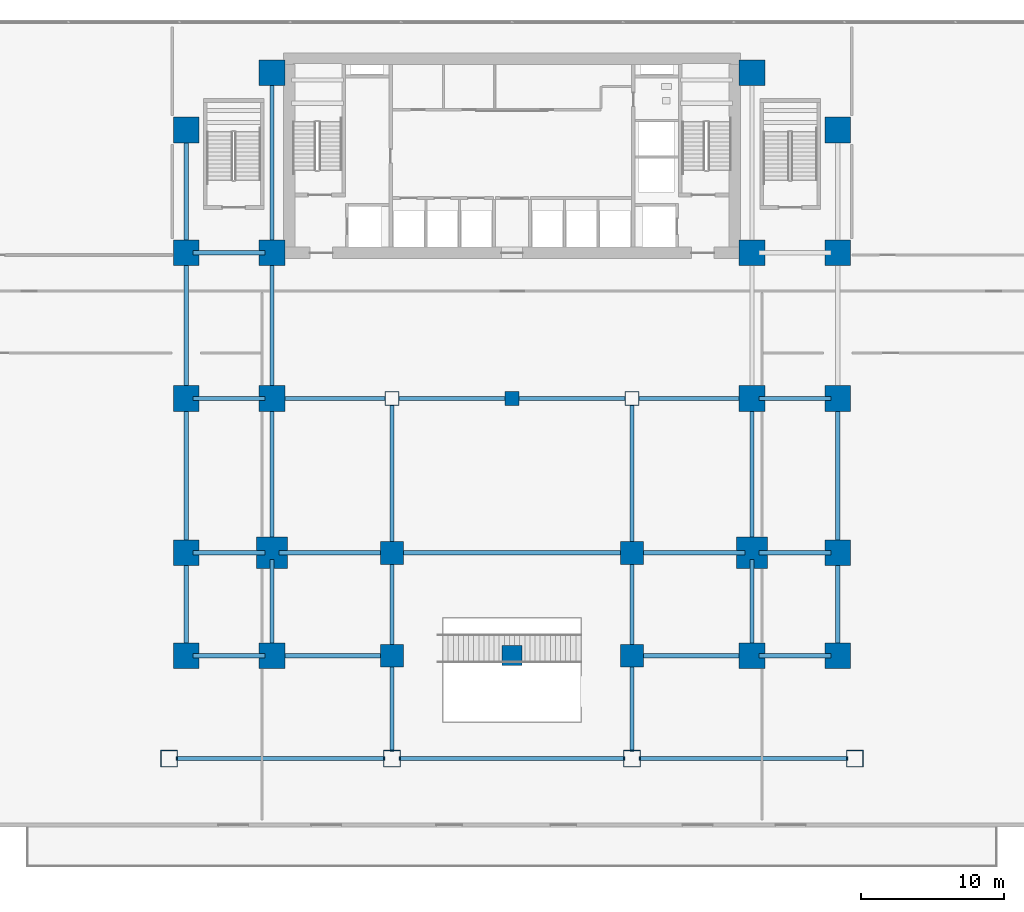
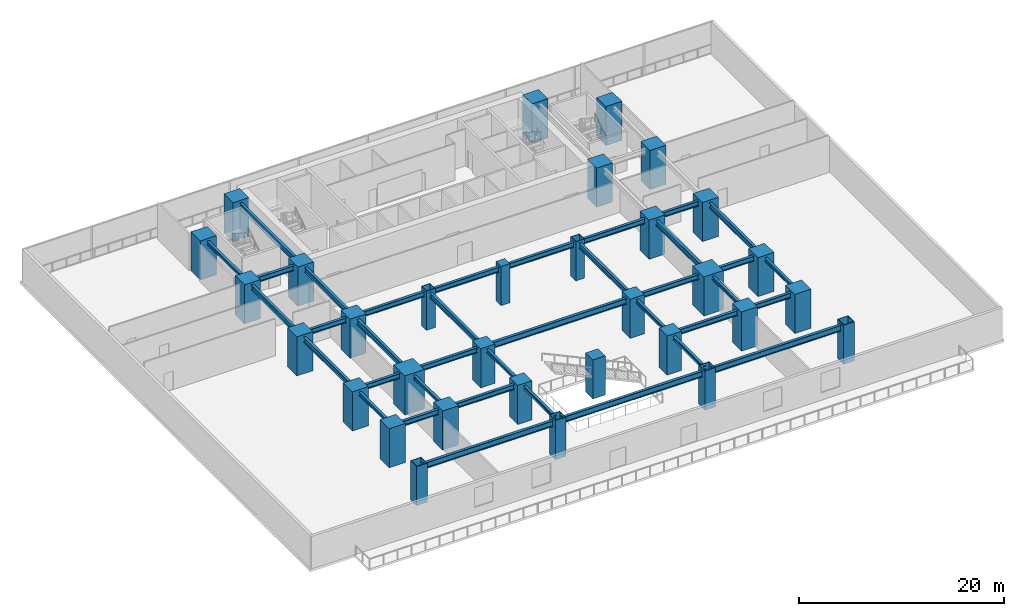
# One storey, part 1 of 17: 37 beams, 32 columns.
"""IFC4 building model written with IfcOpenShell, lengths in metres."""

from ifc_helpers import new_model, si_unit, direction, frame, origin, origin_with_axes, origin_2d, place, context, subcontext, project, spatial, rectangle, hollow_rectangle, i_section, extrude, source, transform, mapped, material, material_profile, profile_set, type_object, element, save


model = new_model("IFC4")

# Units and contexts
model_context = context("Model", 3, precision=1e-05, world=origin(), true_north=direction((0.0, 1.0)))
body_context = subcontext(model_context, "Body", "Model", "MODEL_VIEW")
ifc_project = project(units=[si_unit("LENGTHUNIT", "METRE"), si_unit("AREAUNIT", "SQUARE_METRE"), si_unit("VOLUMEUNIT", "CUBIC_METRE"), si_unit("PLANEANGLEUNIT", "RADIAN"), si_unit("MASSUNIT", "GRAM", prefix="KILO")], contexts=[model_context])

# Site, building, storey
site_placement = place(None, origin())
site = spatial("IfcSite", under=ifc_project, at=site_placement, CompositionType="ELEMENT")
building_placement = place(site_placement, origin())
building = spatial("IfcBuilding", under=site, at=building_placement, Name="Sumidabori Civic Tower", CompositionType="ELEMENT")
storey_placement = place(building_placement, frame((0.0, 0.0, 5.0)))
storey = spatial("IfcBuildingStorey", under=building, at=storey_placement, Name="L01", CompositionType="ELEMENT", Elevation=5.0)

# Columns
ifc_material_1 = material(Name="Steel SM570", Category="steel")
ifc_material_profile_1 = material_profile(ifc_material_1, hollow_rectangle(XDim=1.199951171875, YDim=1.199951171875, WallThickness=0.054931640625, at=origin_2d()), Name="SHS 1200x1200x55")
ifc_profile_set_1 = profile_set([ifc_material_profile_1], Name="Steel SM570")
column_type_1 = type_object("IfcColumnType", Name="CL-POD-SHS1200", PredefinedType="COLUMN", material=ifc_profile_set_1)
shared_shape_1 = source(origin(), body_context, "Body", "SweptSolid", [
    extrude(hollow_rectangle(XDim=1.199951171875, YDim=1.199951171875, WallThickness=0.054931640625, at=origin_2d()), origin(), (0.0, 0.0, 1.0), 4.64990234375),
])
for number, where, z_axis, x_axis, name in (
    (1, (-24.0, -25.199951171875, 0.0), (0.0, 0.0, 1.0), (1.0, 0.0, 0.0), "Column PC-S1 L01"),
    (2, (-8.39990234375, -25.199951171875, 0.0), (0.0, 0.0, 1.0), (1.0, 0.0, 0.0), "Column PC-S2 L01"),
    (3, (8.39990234375, -25.199951171875, 0.0), (0.0, 0.0, 1.0), (1.0, 0.0, 0.0), "Column PC-S3 L01"),
    (4, (24.0, -25.199951171875, 0.0), (0.0, 0.0, 1.0), (1.0, 0.0, 0.0), "Column PC-S4 L01"),
):
    element("IfcColumn", number, at=place(storey_placement, frame(where, z_axis=z_axis, x_axis=x_axis)), inside=storey, type_object=column_type_1, Name=name, PredefinedType="COLUMN", context=body_context, shape_type="MappedRepresentation", body=[
        mapped(shared_shape_1, transform((0.0, 0.0, 0.0), x_axis=(1.0, 0.0, 0.0), y_axis=(0.0, 1.0, 0.0), z_axis=(0.0, 0.0, 1.0), scale=1.0)),
    ])
ifc_material_2 = material(Name="Concrete C60/75", Category="concrete")
ifc_material_profile_2 = material_profile(ifc_material_2, rectangle(XDim=1.800048828125, YDim=1.800048828125, at=origin_2d()), Name="RC 1800x1800")
ifc_profile_set_2 = profile_set([ifc_material_profile_2], Name="Concrete C60/75")
column_type_2 = type_object("IfcColumnType", Name="CL-MEGA-1800", PredefinedType="COLUMN", material=ifc_profile_set_2)
shared_shape_2 = source(origin(), body_context, "Body", "SweptSolid", [
    extrude(rectangle(XDim=1.800048828125, YDim=1.800048828125, at=origin_2d()), origin(), (0.0, 0.0, 1.0), 4.64990234375),
])
for number, where, z_axis, x_axis, name in (
    (5, (-16.800048828125, -18.0, 0.0), (0.0, 0.0, 1.0), (1.0, 0.0, 0.0), "Column MC-W16-Y18S L01"),
    (6, (-16.800048828125, 0.0, 0.0), (0.0, 0.0, 1.0), (1.0, 0.0, 0.0), "Column MC-W16-Y00 L01"),
    (7, (-16.800048828125, 10.199951171875, 0.0), (0.0, 0.0, 1.0), (1.0, 0.0, 0.0), "Column MC-W16-Y10N L01"),
    (8, (-16.800048828125, 22.800048828125, 0.0), (0.0, 0.0, 1.0), (1.0, 0.0, 0.0), "Column MC-W16-Y23N L01"),
    (9, (16.800048828125, -18.0, 0.0), (0.0, 0.0, 1.0), (1.0, 0.0, 0.0), "Column MC-E16-Y18S L01"),
    (10, (16.800048828125, 0.0, 0.0), (0.0, 0.0, 1.0), (1.0, 0.0, 0.0), "Column MC-E16-Y00 L01"),
    (11, (16.800048828125, 10.199951171875, 0.0), (0.0, 0.0, 1.0), (1.0, 0.0, 0.0), "Column MC-E16-Y10N L01"),
    (12, (16.800048828125, 22.800048828125, 0.0), (0.0, 0.0, 1.0), (1.0, 0.0, 0.0), "Column MC-E16-Y23N L01"),
    (13, (-22.800048828125, -18.0, 0.0), (0.0, 0.0, 1.0), (1.0, 0.0, 0.0), "Column MC-W23-Y18S L01"),
    (14, (-22.800048828125, -10.800048828125, 0.0), (0.0, 0.0, 1.0), (1.0, 0.0, 0.0), "Column MC-W23-Y11S L01"),
    (15, (-22.800048828125, 0.0, 0.0), (0.0, 0.0, 1.0), (1.0, 0.0, 0.0), "Column MC-W23-Y00 L01"),
    (16, (-22.800048828125, 10.199951171875, 0.0), (0.0, 0.0, 1.0), (1.0, 0.0, 0.0), "Column MC-W23-Y10N L01"),
    (17, (-22.800048828125, 18.800048828125, 0.0), (0.0, 0.0, 1.0), (1.0, 0.0, 0.0), "Column MC-W23-Y19N L01"),
    (18, (22.800048828125, -18.0, 0.0), (0.0, 0.0, 1.0), (1.0, 0.0, 0.0), "Column MC-E23-Y18S L01"),
    (19, (22.800048828125, -10.800048828125, 0.0), (0.0, 0.0, 1.0), (1.0, 0.0, 0.0), "Column MC-E23-Y11S L01"),
    (20, (22.800048828125, 0.0, 0.0), (0.0, 0.0, 1.0), (1.0, 0.0, 0.0), "Column MC-E23-Y00 L01"),
    (21, (22.800048828125, 10.199951171875, 0.0), (0.0, 0.0, 1.0), (1.0, 0.0, 0.0), "Column MC-E23-Y10N L01"),
    (22, (22.800048828125, 18.800048828125, 0.0), (0.0, 0.0, 1.0), (1.0, 0.0, 0.0), "Column MC-E23-Y19N L01"),
):
    element("IfcColumn", number, at=place(storey_placement, frame(where, z_axis=z_axis, x_axis=x_axis)), inside=storey, type_object=column_type_2, Name=name, PredefinedType="COLUMN", context=body_context, shape_type="MappedRepresentation", body=[
        mapped(shared_shape_2, transform((0.0, 0.0, 0.0), x_axis=(1.0, 0.0, 0.0), y_axis=(0.0, 1.0, 0.0), z_axis=(0.0, 0.0, 1.0), scale=1.0)),
    ])
ifc_material_profile_3 = material_profile(ifc_material_2, rectangle(XDim=2.199951171875, YDim=2.199951171875, at=origin_2d()), Name="RC 2200x2200")
ifc_profile_set_3 = profile_set([ifc_material_profile_3], Name="Concrete C60/75")
column_type_3 = type_object("IfcColumnType", Name="CL-SUPER-2200", PredefinedType="COLUMN", material=ifc_profile_set_3)
shared_shape_3 = source(origin(), body_context, "Body", "SweptSolid", [
    extrude(rectangle(XDim=2.199951171875, YDim=2.199951171875, at=origin_2d()), origin(), (0.0, 0.0, 1.0), 4.64990234375),
])
for number, where, z_axis, x_axis, name in (
    (23, (-16.800048828125, -10.800048828125, 0.0), (0.0, 0.0, 1.0), (1.0, 0.0, 0.0), "Column MC-W16-Y11S L01"),
    (24, (16.800048828125, -10.800048828125, 0.0), (0.0, 0.0, 1.0), (1.0, 0.0, 0.0), "Column MC-E16-Y11S L01"),
):
    element("IfcColumn", number, at=place(storey_placement, frame(where, z_axis=z_axis, x_axis=x_axis)), inside=storey, type_object=column_type_3, Name=name, PredefinedType="COLUMN", context=body_context, shape_type="MappedRepresentation", body=[
        mapped(shared_shape_3, transform((0.0, 0.0, 0.0), x_axis=(1.0, 0.0, 0.0), y_axis=(0.0, 1.0, 0.0), z_axis=(0.0, 0.0, 1.0), scale=1.0)),
    ])
ifc_material_profile_4 = material_profile(ifc_material_2, rectangle(XDim=1.60009765625, YDim=1.60009765625, at=origin_2d()), Name="RC 1600x1600")
ifc_profile_set_4 = profile_set([ifc_material_profile_4], Name="Concrete C60/75")
column_type_4 = type_object("IfcColumnType", Name="CL-MEGA-1600", PredefinedType="COLUMN", material=ifc_profile_set_4)
shared_shape_4 = source(origin(), body_context, "Body", "SweptSolid", [
    extrude(rectangle(XDim=1.60009765625, YDim=1.60009765625, at=origin_2d()), origin(), (0.0, 0.0, 1.0), 4.64990234375),
])
for number, where, z_axis, x_axis, name in (
    (25, (-8.39990234375, -18.0, 0.0), (0.0, 0.0, 1.0), (1.0, 0.0, 0.0), "Column MC-W08-Y18S L01"),
    (26, (-8.39990234375, -10.800048828125, 0.0), (0.0, 0.0, 1.0), (1.0, 0.0, 0.0), "Column MC-W08-Y11S L01"),
    (27, (8.39990234375, -18.0, 0.0), (0.0, 0.0, 1.0), (1.0, 0.0, 0.0), "Column MC-E08-Y18S L01"),
    (28, (8.39990234375, -10.800048828125, 0.0), (0.0, 0.0, 1.0), (1.0, 0.0, 0.0), "Column MC-E08-Y11S L01"),
):
    element("IfcColumn", number, at=place(storey_placement, frame(where, z_axis=z_axis, x_axis=x_axis)), inside=storey, type_object=column_type_4, Name=name, PredefinedType="COLUMN", context=body_context, shape_type="MappedRepresentation", body=[
        mapped(shared_shape_4, transform((0.0, 0.0, 0.0), x_axis=(1.0, 0.0, 0.0), y_axis=(0.0, 1.0, 0.0), z_axis=(0.0, 0.0, 1.0), scale=1.0)),
    ])
ifc_material_profile_5 = material_profile(ifc_material_1, hollow_rectangle(XDim=1.0, YDim=1.0, WallThickness=0.044921875, at=origin_2d()), Name="SHS 1000x1000x45")
ifc_profile_set_5 = profile_set([ifc_material_profile_5], Name="Steel SM570")
column_type_5 = type_object("IfcColumnType", Name="CL-PORTAL-SHS1000", PredefinedType="COLUMN", material=ifc_profile_set_5)
shared_shape_5 = source(origin(), body_context, "Body", "SweptSolid", [
    extrude(hollow_rectangle(XDim=1.0, YDim=1.0, WallThickness=0.044921875, at=origin_2d()), origin(), (0.0, 0.0, 1.0), 4.64990234375),
])
for number, where, z_axis, x_axis, name in (
    (29, (-8.39990234375, 0.0, 0.0), (0.0, 0.0, 1.0), (1.0, 0.0, 0.0), "Column MC-W08-Y00 L01"),
    (30, (8.39990234375, 0.0, 0.0), (0.0, 0.0, 1.0), (1.0, 0.0, 0.0), "Column MC-E08-Y00 L01"),
):
    element("IfcColumn", number, at=place(storey_placement, frame(where, z_axis=z_axis, x_axis=x_axis)), inside=storey, type_object=column_type_5, Name=name, PredefinedType="COLUMN", context=body_context, shape_type="MappedRepresentation", body=[
        mapped(shared_shape_5, transform((0.0, 0.0, 0.0), x_axis=(1.0, 0.0, 0.0), y_axis=(0.0, 1.0, 0.0), z_axis=(0.0, 0.0, 1.0), scale=1.0)),
    ])
ifc_material_profile_6 = material_profile(ifc_material_2, rectangle(XDim=1.39990234375, YDim=1.39990234375, at=origin_2d()), Name="RC 1400x1400")
ifc_profile_set_6 = profile_set([ifc_material_profile_6], Name="Concrete C60/75")
column_type_6 = type_object("IfcColumnType", Name="CL-MEGA-1400", PredefinedType="COLUMN", material=ifc_profile_set_6)
shared_shape_6 = source(origin(), body_context, "Body", "SweptSolid", [
    extrude(rectangle(XDim=1.39990234375, YDim=1.39990234375, at=origin_2d()), origin(), (0.0, 0.0, 1.0), 4.64990234375),
])
column_1_placement = place(storey_placement, frame((0.0, -18.0, 0.0), z_axis=(0.0, 0.0, 1.0), x_axis=(1.0, 0.0, 0.0)))
element("IfcColumn", 31, at=column_1_placement, inside=storey, type_object=column_type_6, Name="Column MC-C00-Y18S L01", PredefinedType="COLUMN", context=body_context, shape_type="MappedRepresentation", body=[
    mapped(shared_shape_6, transform((0.0, 0.0, 0.0), x_axis=(1.0, 0.0, 0.0), y_axis=(0.0, 1.0, 0.0), z_axis=(0.0, 0.0, 1.0), scale=1.0)),
])
ifc_material_3 = material(Name="Concrete C50/60", Category="concrete")
ifc_material_profile_7 = material_profile(ifc_material_3, rectangle(XDim=1.0, YDim=1.0, at=origin_2d()), Name="RC 1000x1000")
ifc_profile_set_7 = profile_set([ifc_material_profile_7], Name="Concrete C50/60")
column_type_7 = type_object("IfcColumnType", Name="CL-INT-1000", PredefinedType="COLUMN", material=ifc_profile_set_7)
shared_shape_7 = source(origin(), body_context, "Body", "SweptSolid", [
    extrude(rectangle(XDim=1.0, YDim=1.0, at=origin_2d()), origin(), (0.0, 0.0, 1.0), 4.64990234375),
])
column_2_placement = place(storey_placement, origin_with_axes())
element("IfcColumn", 32, at=column_2_placement, inside=storey, type_object=column_type_7, Name="Column MC-C00-Y00 L01", PredefinedType="COLUMN", context=body_context, shape_type="MappedRepresentation", body=[
    mapped(shared_shape_7, transform((0.0, 0.0, 0.0), x_axis=(1.0, 0.0, 0.0), y_axis=(0.0, 1.0, 0.0), z_axis=(0.0, 0.0, 1.0), scale=1.0)),
])

# Beams
ifc_material_4 = material(Name="Steel SN490", Category="steel")
ifc_material_profile_8 = material_profile(ifc_material_4, i_section(OverallWidth=0.300048828125, OverallDepth=0.699951171875, WebThickness=0.01708984375, FlangeThickness=0.031982421875, at=origin_2d()), Name="HE 700 B")
ifc_profile_set_8 = profile_set([ifc_material_profile_8], Name="Steel SN490")
beam_type_1 = type_object("IfcBeamType", Name="BM-GIRD-700", PredefinedType="BEAM", material=ifc_profile_set_8)
shared_shape_8 = source(origin(), body_context, "Body", "SweptSolid", [
    extrude(i_section(OverallWidth=0.300048828125, OverallDepth=0.699951171875, WebThickness=0.01708984375, FlangeThickness=0.031982421875, at=origin_2d()), origin(), (0.0, 0.0, 1.0), 14.64013671875),
])
for number, where, z_axis, x_axis, name in (
    (33, (-23.52001953125, -25.199951171875, 4.02001953125), (1.0, 0.0, 0.0), (0.0, 1.0, 0.0), "Primary Girder L01 GX-01"),
    (34, (8.8798828125, -25.199951171875, 4.02001953125), (1.0, 0.0, 0.0), (0.0, 1.0, 0.0), "Primary Girder L01 GX-03"),
):
    element("IfcBeam", number, at=place(storey_placement, frame(where, z_axis=z_axis, x_axis=x_axis)), inside=storey, type_object=beam_type_1, Name=name, PredefinedType="BEAM", context=body_context, shape_type="MappedRepresentation", body=[
        mapped(shared_shape_8, transform((0.0, 0.0, 0.0), x_axis=(1.0, 0.0, 0.0), y_axis=(0.0, 1.0, 0.0), z_axis=(0.0, 0.0, 1.0), scale=1.0)),
    ])
shared_shape_9 = source(origin(), body_context, "Body", "SweptSolid", [
    extrude(i_section(OverallWidth=0.300048828125, OverallDepth=0.699951171875, WebThickness=0.01708984375, FlangeThickness=0.031982421875, at=origin_2d()), origin(), (0.0, 0.0, 1.0), 15.83984375),
])
for number, where, z_axis, x_axis, name in (
    (35, (-7.919921875, -25.199951171875, 4.02001953125), (1.0, 0.0, 0.0), (0.0, 1.0, 0.0), "Primary Girder L01 GX-02"),
    (36, (-7.919921875, -10.800048828125, 4.02001953125), (1.0, 0.0, 0.0), (0.0, 1.0, 0.0), "Primary Girder L01 GX-10"),
):
    element("IfcBeam", number, at=place(storey_placement, frame(where, z_axis=z_axis, x_axis=x_axis)), inside=storey, type_object=beam_type_1, Name=name, PredefinedType="BEAM", context=body_context, shape_type="MappedRepresentation", body=[
        mapped(shared_shape_9, transform((0.0, 0.0, 0.0), x_axis=(1.0, 0.0, 0.0), y_axis=(0.0, 1.0, 0.0), z_axis=(0.0, 0.0, 1.0), scale=1.0)),
    ])
ifc_material_profile_9 = material_profile(ifc_material_4, i_section(OverallWidth=0.300048828125, OverallDepth=0.60009765625, WebThickness=0.015380859375, FlangeThickness=0.030029296875, at=origin_2d()), Name="HE 600 B")
ifc_profile_set_9 = profile_set([ifc_material_profile_9], Name="Steel SN490")
beam_type_2 = type_object("IfcBeamType", Name="BM-GIRD-600", PredefinedType="BEAM", material=ifc_profile_set_9)
shared_shape_10 = source(origin(), body_context, "Body", "SweptSolid", [
    extrude(i_section(OverallWidth=0.300048828125, OverallDepth=0.60009765625, WebThickness=0.015380859375, FlangeThickness=0.030029296875, at=origin_2d()), origin(), (0.0, 0.0, 1.0), 5.0400390625),
])
for number, where, z_axis, x_axis, name in (
    (37, (-22.320068359375, -18.0, 4.070068359375), (1.0, 0.0, 0.0), (0.0, 1.0, 0.0), "Primary Girder L01 GX-04"),
    (38, (17.280029296875, -18.0, 4.070068359375), (1.0, 0.0, 0.0), (0.0, 1.0, 0.0), "Primary Girder L01 GX-07"),
    (39, (-22.320068359375, -10.800048828125, 4.070068359375), (1.0, 0.0, 0.0), (0.0, 1.0, 0.0), "Primary Girder L01 GX-08"),
    (40, (17.280029296875, -10.800048828125, 4.070068359375), (1.0, 0.0, 0.0), (0.0, 1.0, 0.0), "Primary Girder L01 GX-12"),
    (41, (-22.320068359375, 0.0, 4.070068359375), (1.0, 0.0, 0.0), (0.0, 1.0, 0.0), "Primary Girder L01 GX-13"),
    (42, (17.280029296875, 0.0, 4.070068359375), (1.0, 0.0, 0.0), (0.0, 1.0, 0.0), "Primary Girder L01 GX-18"),
    (43, (-22.320068359375, 10.199951171875, 4.070068359375), (1.0, 0.0, 0.0), (0.0, 1.0, 0.0), "Primary Girder L01 GX-19"),
):
    element("IfcBeam", number, at=place(storey_placement, frame(where, z_axis=z_axis, x_axis=x_axis)), inside=storey, type_object=beam_type_2, Name=name, PredefinedType="BEAM", context=body_context, shape_type="MappedRepresentation", body=[
        mapped(shared_shape_10, transform((0.0, 0.0, 0.0), x_axis=(1.0, 0.0, 0.0), y_axis=(0.0, 1.0, 0.0), z_axis=(0.0, 0.0, 1.0), scale=1.0)),
    ])
shared_shape_11 = source(origin(), body_context, "Body", "SweptSolid", [
    extrude(i_section(OverallWidth=0.300048828125, OverallDepth=0.60009765625, WebThickness=0.015380859375, FlangeThickness=0.030029296875, at=origin_2d()), origin(), (0.0, 0.0, 1.0), 7.440185546875),
])
for number, where, z_axis, x_axis, name in (
    (44, (-16.320068359375, -18.0, 4.070068359375), (1.0, 0.0, 0.0), (0.0, 1.0, 0.0), "Primary Girder L01 GX-05"),
    (45, (8.8798828125, -18.0, 4.070068359375), (1.0, 0.0, 0.0), (0.0, 1.0, 0.0), "Primary Girder L01 GX-06"),
    (46, (-16.320068359375, -10.800048828125, 4.070068359375), (1.0, 0.0, 0.0), (0.0, 1.0, 0.0), "Primary Girder L01 GX-09"),
    (47, (8.8798828125, -10.800048828125, 4.070068359375), (1.0, 0.0, 0.0), (0.0, 1.0, 0.0), "Primary Girder L01 GX-11"),
    (48, (-16.320068359375, 0.0, 4.070068359375), (1.0, 0.0, 0.0), (0.0, 1.0, 0.0), "Primary Girder L01 GX-14"),
    (49, (8.8798828125, 0.0, 4.070068359375), (1.0, 0.0, 0.0), (0.0, 1.0, 0.0), "Primary Girder L01 GX-17"),
):
    element("IfcBeam", number, at=place(storey_placement, frame(where, z_axis=z_axis, x_axis=x_axis)), inside=storey, type_object=beam_type_2, Name=name, PredefinedType="BEAM", context=body_context, shape_type="MappedRepresentation", body=[
        mapped(shared_shape_11, transform((0.0, 0.0, 0.0), x_axis=(1.0, 0.0, 0.0), y_axis=(0.0, 1.0, 0.0), z_axis=(0.0, 0.0, 1.0), scale=1.0)),
    ])
shared_shape_12 = source(origin(), body_context, "Body", "SweptSolid", [
    extrude(i_section(OverallWidth=0.300048828125, OverallDepth=0.60009765625, WebThickness=0.015380859375, FlangeThickness=0.030029296875, at=origin_2d()), origin(), (0.0, 0.0, 1.0), 7.43994140625),
])
for number, where, z_axis, x_axis, name in (
    (50, (-7.919921875, 0.0, 4.070068359375), (1.0, 0.0, 0.0), (0.0, 1.0, 0.0), "Primary Girder L01 GX-15"),
    (51, (0.47998046875, 0.0, 4.070068359375), (1.0, 0.0, 0.0), (0.0, 1.0, 0.0), "Primary Girder L01 GX-16"),
):
    element("IfcBeam", number, at=place(storey_placement, frame(where, z_axis=z_axis, x_axis=x_axis)), inside=storey, type_object=beam_type_2, Name=name, PredefinedType="BEAM", context=body_context, shape_type="MappedRepresentation", body=[
        mapped(shared_shape_12, transform((0.0, 0.0, 0.0), x_axis=(1.0, 0.0, 0.0), y_axis=(0.0, 1.0, 0.0), z_axis=(0.0, 0.0, 1.0), scale=1.0)),
    ])
ifc_material_profile_10 = material_profile(ifc_material_4, i_section(OverallWidth=0.300048828125, OverallDepth=0.39990234375, WebThickness=0.013427734375, FlangeThickness=0.02392578125, at=origin_2d()), Name="HE 400 B")
ifc_profile_set_10 = profile_set([ifc_material_profile_10], Name="Steel SN490")
beam_type_3 = type_object("IfcBeamType", Name="BM-GIRD-400", PredefinedType="BEAM", material=ifc_profile_set_10)
shared_shape_13 = source(origin(), body_context, "Body", "SweptSolid", [
    extrude(i_section(OverallWidth=0.300048828125, OverallDepth=0.39990234375, WebThickness=0.013427734375, FlangeThickness=0.02392578125, at=origin_2d()), origin(), (0.0, 0.0, 1.0), 6.239990234375),
])
for number, where, z_axis, x_axis, name in (
    (52, (-22.800048828125, -17.52001953125, 4.169921875), (0.0, 1.0, 0.0), (-1.0, 0.0, 0.0), "Primary Girder L01 GY-21"),
    (53, (-16.800048828125, -17.52001953125, 4.169921875), (0.0, 1.0, 0.0), (-1.0, 0.0, 0.0), "Primary Girder L01 GY-25"),
    (54, (-8.39990234375, -24.719970703125, 4.169921875), (0.0, 1.0, 0.0), (-1.0, 0.0, 0.0), "Primary Girder L01 GY-29"),
    (55, (-8.39990234375, -17.52001953125, 4.169921875), (0.0, 1.0, 0.0), (-1.0, 0.0, 0.0), "Primary Girder L01 GY-30"),
    (56, (8.39990234375, -24.719970703125, 4.169921875), (0.0, 1.0, 0.0), (-1.0, 0.0, 0.0), "Primary Girder L01 GY-32"),
    (57, (8.39990234375, -17.52001953125, 4.169921875), (0.0, 1.0, 0.0), (-1.0, 0.0, 0.0), "Primary Girder L01 GY-33"),
    (58, (16.800048828125, -17.52001953125, 4.169921875), (0.0, 1.0, 0.0), (-1.0, 0.0, 0.0), "Primary Girder L01 GY-35"),
    (59, (22.800048828125, -17.52001953125, 4.169921875), (0.0, 1.0, 0.0), (-1.0, 0.0, 0.0), "Primary Girder L01 GY-39"),
):
    element("IfcBeam", number, at=place(storey_placement, frame(where, z_axis=z_axis, x_axis=x_axis)), inside=storey, type_object=beam_type_3, Name=name, PredefinedType="BEAM", context=body_context, shape_type="MappedRepresentation", body=[
        mapped(shared_shape_13, transform((0.0, 0.0, 0.0), x_axis=(1.0, 0.0, 0.0), y_axis=(0.0, 1.0, 0.0), z_axis=(0.0, 0.0, 1.0), scale=1.0)),
    ])
shared_shape_14 = source(origin(), body_context, "Body", "SweptSolid", [
    extrude(i_section(OverallWidth=0.300048828125, OverallDepth=0.60009765625, WebThickness=0.015380859375, FlangeThickness=0.030029296875, at=origin_2d()), origin(), (0.0, 0.0, 1.0), 9.840087890625),
])
for number, where, z_axis, x_axis, name in (
    (60, (-22.800048828125, -10.320068359375, 4.070068359375), (0.0, 1.0, 0.0), (-1.0, 0.0, 0.0), "Primary Girder L01 GY-22"),
    (61, (-16.800048828125, -10.320068359375, 4.070068359375), (0.0, 1.0, 0.0), (-1.0, 0.0, 0.0), "Primary Girder L01 GY-26"),
    (62, (-8.39990234375, -10.320068359375, 4.070068359375), (0.0, 1.0, 0.0), (-1.0, 0.0, 0.0), "Primary Girder L01 GY-31"),
    (63, (8.39990234375, -10.320068359375, 4.070068359375), (0.0, 1.0, 0.0), (-1.0, 0.0, 0.0), "Primary Girder L01 GY-34"),
    (64, (16.800048828125, -10.320068359375, 4.070068359375), (0.0, 1.0, 0.0), (-1.0, 0.0, 0.0), "Primary Girder L01 GY-36"),
    (65, (22.800048828125, -10.320068359375, 4.070068359375), (0.0, 1.0, 0.0), (-1.0, 0.0, 0.0), "Primary Girder L01 GY-40"),
):
    element("IfcBeam", number, at=place(storey_placement, frame(where, z_axis=z_axis, x_axis=x_axis)), inside=storey, type_object=beam_type_2, Name=name, PredefinedType="BEAM", context=body_context, shape_type="MappedRepresentation", body=[
        mapped(shared_shape_14, transform((0.0, 0.0, 0.0), x_axis=(1.0, 0.0, 0.0), y_axis=(0.0, 1.0, 0.0), z_axis=(0.0, 0.0, 1.0), scale=1.0)),
    ])
shared_shape_15 = source(origin(), body_context, "Body", "SweptSolid", [
    extrude(i_section(OverallWidth=0.300048828125, OverallDepth=0.60009765625, WebThickness=0.015380859375, FlangeThickness=0.030029296875, at=origin_2d()), origin(), (0.0, 0.0, 1.0), 9.239990234375),
])
for number, where, z_axis, x_axis, name in (
    (66, (-22.800048828125, 0.47998046875, 4.070068359375), (0.0, 1.0, 0.0), (-1.0, 0.0, 0.0), "Primary Girder L01 GY-23"),
    (67, (-16.800048828125, 0.47998046875, 4.070068359375), (0.0, 1.0, 0.0), (-1.0, 0.0, 0.0), "Primary Girder L01 GY-27"),
):
    element("IfcBeam", number, at=place(storey_placement, frame(where, z_axis=z_axis, x_axis=x_axis)), inside=storey, type_object=beam_type_2, Name=name, PredefinedType="BEAM", context=body_context, shape_type="MappedRepresentation", body=[
        mapped(shared_shape_15, transform((0.0, 0.0, 0.0), x_axis=(1.0, 0.0, 0.0), y_axis=(0.0, 1.0, 0.0), z_axis=(0.0, 0.0, 1.0), scale=1.0)),
    ])
shared_shape_16 = source(origin(), body_context, "Body", "SweptSolid", [
    extrude(i_section(OverallWidth=0.300048828125, OverallDepth=0.39990234375, WebThickness=0.013427734375, FlangeThickness=0.02392578125, at=origin_2d()), origin(), (0.0, 0.0, 1.0), 7.64013671875),
])
beam_1_placement = place(storey_placement, frame((-22.800048828125, 10.679931640625, 4.169921875), z_axis=(0.0, 1.0, 0.0), x_axis=(-1.0, 0.0, 0.0)))
element("IfcBeam", 68, at=beam_1_placement, inside=storey, type_object=beam_type_3, Name="Primary Girder L01 GY-24", PredefinedType="BEAM", context=body_context, shape_type="MappedRepresentation", body=[
    mapped(shared_shape_16, transform((0.0, 0.0, 0.0), x_axis=(1.0, 0.0, 0.0), y_axis=(0.0, 1.0, 0.0), z_axis=(0.0, 0.0, 1.0), scale=1.0)),
])
shared_shape_17 = source(origin(), body_context, "Body", "SweptSolid", [
    extrude(i_section(OverallWidth=0.300048828125, OverallDepth=0.60009765625, WebThickness=0.015380859375, FlangeThickness=0.030029296875, at=origin_2d()), origin(), (0.0, 0.0, 1.0), 11.64013671875),
])
beam_2_placement = place(storey_placement, frame((-16.800048828125, 10.679931640625, 4.070068359375), z_axis=(0.0, 1.0, 0.0), x_axis=(-1.0, 0.0, 0.0)))
element("IfcBeam", 69, at=beam_2_placement, inside=storey, type_object=beam_type_2, Name="Primary Girder L01 GY-28", PredefinedType="BEAM", context=body_context, shape_type="MappedRepresentation", body=[
    mapped(shared_shape_17, transform((0.0, 0.0, 0.0), x_axis=(1.0, 0.0, 0.0), y_axis=(0.0, 1.0, 0.0), z_axis=(0.0, 0.0, 1.0), scale=1.0)),
])

save(model, "model.ifc")
